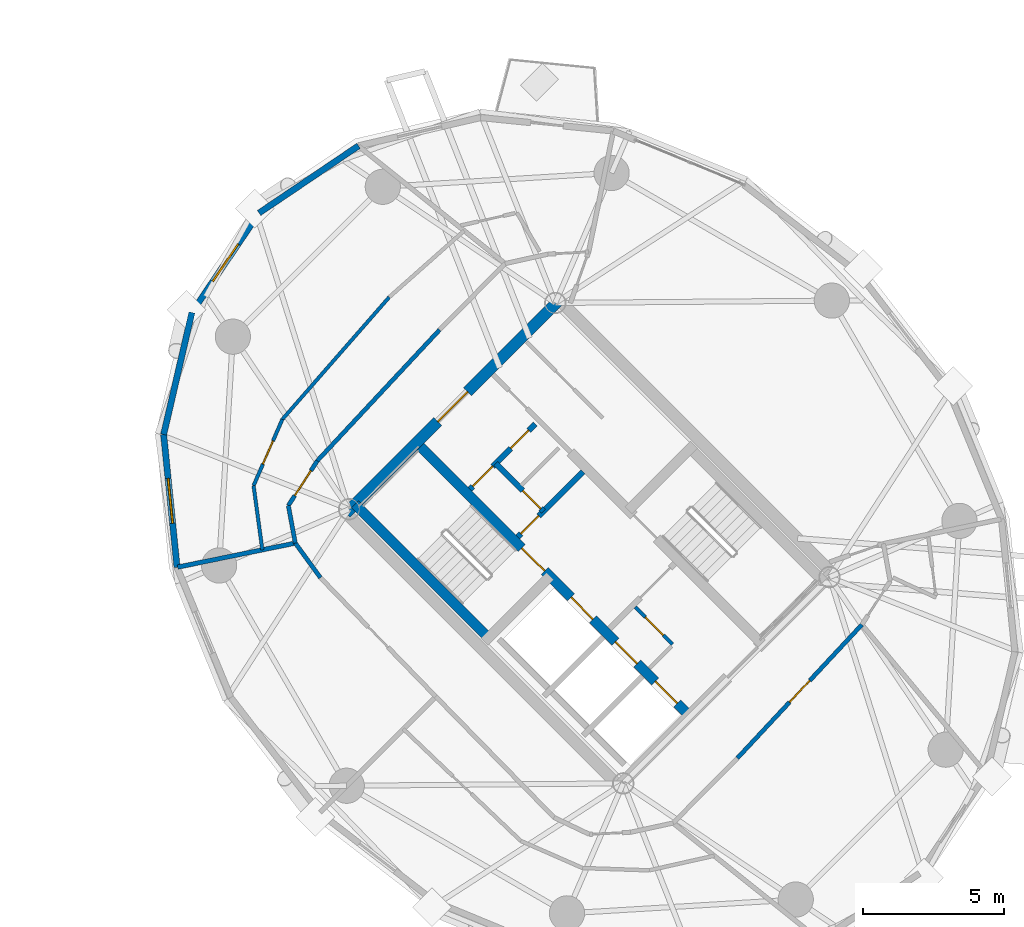
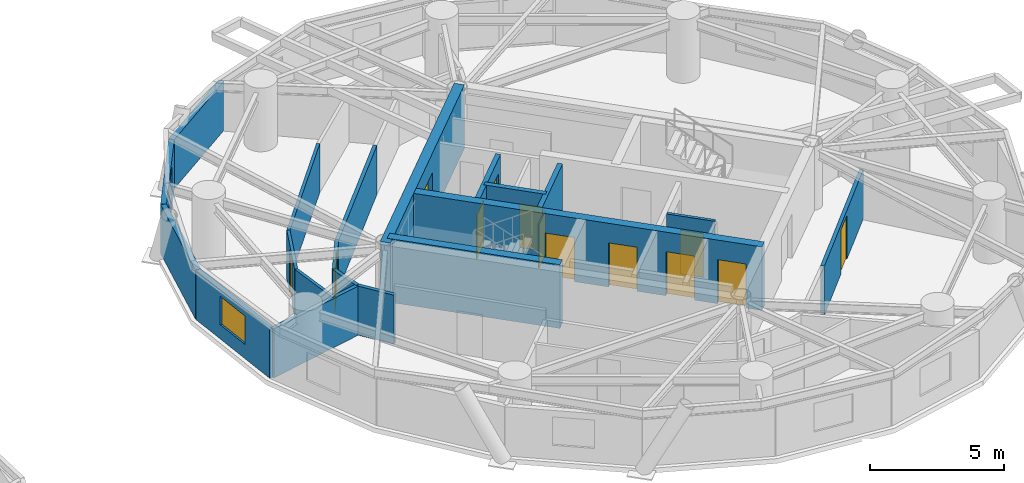
# One storey, part 13 of 18: 20 walls, 13 doors, 2 windows, 15 openings.
"""IFC4 building model written with IfcOpenShell, lengths in metres."""

from ifc_helpers import new_model, si_unit, direction, frame, frame_2d, origin, place, context, subcontext, project, spatial, rectangle, extrude, source, transform, mapped, material, layer, layer_set, type_object, element, fill, save


model = new_model("IFC4")

# Units and contexts
model_context = context("Model", 3, precision=1e-05, world=origin(), true_north=direction((0.0, 1.0)))
body_context = subcontext(model_context, "Body", "Model", "MODEL_VIEW")
ifc_project = project(units=[si_unit("LENGTHUNIT", "METRE"), si_unit("AREAUNIT", "SQUARE_METRE"), si_unit("VOLUMEUNIT", "CUBIC_METRE"), si_unit("PLANEANGLEUNIT", "RADIAN"), si_unit("MASSUNIT", "GRAM", prefix="KILO")], contexts=[model_context])

# Site, building, storey
site_placement = place(None, origin())
site = spatial("IfcSite", under=ifc_project, at=site_placement, CompositionType="ELEMENT")
building_placement = place(site_placement, origin())
building = spatial("IfcBuilding", under=site, at=building_placement, Name="Cununo Teusaquillo Station Towers", CompositionType="ELEMENT")
storey_placement = place(building_placement, frame((0.0, 0.0, 169.06005859375)))
storey = spatial("IfcBuildingStorey", under=building, at=storey_placement, Name="L53", CompositionType="ELEMENT", Elevation=169.06005859375)

# Wall, openings, doors
ifc_material_1 = material(Name="Concrete C50/60", Category="concrete")
ifc_layer_1 = layer(ifc_material_1, 0.35009765625)
ifc_layer_set_1 = layer_set([ifc_layer_1], Name="Concrete C50/60")
wall_type_1 = type_object("IfcWallType", Name="WL-CORE-350", PredefinedType="SHEAR", material=ifc_layer_set_1)
wall_1_placement = place(storey_placement, frame((61.060302734375, 18.372802734375, 0.0), z_axis=(0.0, 0.0, 1.0), x_axis=(-0.707106781187, 0.707106781187, 0.0)))
wall_1 = element("IfcWall", 1, at=wall_1_placement, inside=storey, type_object=wall_type_1, Name="L53 Tower B Core Shear Wall IW", PredefinedType="SHEAR", context=body_context, shape_type="SweptSolid", body=[
    extrude(rectangle(XDim=13.7001953125, YDim=0.35009765625, at=frame_2d((6.85009765625, 0.0))), origin(), (0.0, 0.0, 1.0), 2.909912109375),
])
shared_shape_1 = source(origin(), body_context, "Body", "SweptSolid", [
    extrude(rectangle(XDim=1.10009765625, YDim=2.014892578125, at=frame_2d((0.550048828125, 1.00732421875))), frame((0.0, 0.18505859375, 0.0), z_axis=(0.0, -1.0, 0.0), x_axis=(1.0, 0.0, 0.0)), (0.0, 0.0, 1.0), 0.3701171875),
])
opening_1_placement = place(wall_1_placement, frame((4.85009765625, 0.0, 0.0)))
opening_1 = element("IfcOpeningElement", 2, at=opening_1_placement, cuts=wall_1, Name="Opening LD-01", PredefinedType="OPENING", context=body_context, shape_type="MappedRepresentation", body=[
    mapped(shared_shape_1, transform((0.0, 0.0, 0.0), x_axis=(1.0, 0.0, 0.0), y_axis=(0.0, 1.0, 0.0), z_axis=(0.0, 0.0, 1.0), scale=1.0)),
])
opening_2_placement = place(wall_1_placement, frame((0.625, 0.0, 0.0)))
opening_2 = element("IfcOpeningElement", 3, at=opening_2_placement, cuts=wall_1, Name="Opening LD-01", PredefinedType="OPENING", context=body_context, shape_type="MappedRepresentation", body=[
    mapped(shared_shape_1, transform((0.0, 0.0, 0.0), x_axis=(1.0, 0.0, 0.0), y_axis=(0.0, 1.0, 0.0), z_axis=(0.0, 0.0, 1.0), scale=1.0)),
])
opening_3_placement = place(wall_1_placement, frame((2.625, 0.0, 0.0)))
opening_3 = element("IfcOpeningElement", 4, at=opening_3_placement, cuts=wall_1, Name="Opening LD-01", PredefinedType="OPENING", context=body_context, shape_type="MappedRepresentation", body=[
    mapped(shared_shape_1, transform((0.0, 0.0, 0.0), x_axis=(1.0, 0.0, 0.0), y_axis=(0.0, 1.0, 0.0), z_axis=(0.0, 0.0, 1.0), scale=1.0)),
])
shared_shape_2 = source(origin(), body_context, "Body", "SweptSolid", [
    extrude(rectangle(XDim=1.14990234375, YDim=2.02001953125, at=frame_2d((0.574951171875, 1.010009765625))), frame((0.0, 0.18505859375, 0.0), z_axis=(0.0, -1.0, 0.0), x_axis=(1.0, 0.0, 0.0)), (0.0, 0.0, 1.0), 0.3701171875),
])
opening_4_placement = place(wall_1_placement, frame((7.27001953125, 0.0, 0.0)))
opening_4 = element("IfcOpeningElement", 5, at=opening_4_placement, cuts=wall_1, Name="Opening D-ST1", PredefinedType="OPENING", context=body_context, shape_type="MappedRepresentation", body=[
    mapped(shared_shape_2, transform((0.0, 0.0, 0.0), x_axis=(1.0, 0.0, 0.0), y_axis=(0.0, 1.0, 0.0), z_axis=(0.0, 0.0, 1.0), scale=1.0)),
])
ifc_material_2 = material(Name="Galvanised fire-rated hollow steel door assembly", Category="steel")
door_type_1 = type_object("IfcDoorType", Name="DR-LIFT-1100", OperationType="SLIDING_TO_LEFT", PredefinedType="DOOR", material=ifc_material_2)
shared_shape_3 = source(origin(), body_context, "Body", "SweptSolid", [
    extrude(rectangle(XDim=1.10009765625, YDim=2.014892578125, at=frame_2d((0.550048828125, 1.00732421875))), frame((0.0, 0.02490234375, 0.0), z_axis=(0.0, -1.0, 0.0), x_axis=(1.0, 0.0, 0.0)), (0.0, 0.0, 1.0), 0.050048828125),
])
door_1_placement = place(opening_1_placement, origin())
door_1 = element("IfcDoor", 6, at=door_1_placement, inside=storey, type_object=door_type_1, Name="L53 Lift FL-T2 Sliding Landing Door", OperationType="SLIDING_TO_LEFT", OverallHeight=2.014892578125, OverallWidth=1.10009765625, PredefinedType="DOOR", context=body_context, shape_type="MappedRepresentation", body=[
    mapped(shared_shape_3, transform((0.0, 0.0, 0.0), x_axis=(1.0, 0.0, 0.0), y_axis=(0.0, 1.0, 0.0), z_axis=(0.0, 0.0, 1.0), scale=1.0)),
])
fill(opening_1, door_1)
door_2_placement = place(opening_2_placement, origin())
door_2 = element("IfcDoor", 7, at=door_2_placement, inside=storey, type_object=door_type_1, Name="L53 Lift PL-T2-H1 Sliding Landing Door", OperationType="SLIDING_TO_RIGHT", OverallHeight=2.014892578125, OverallWidth=1.10009765625, PredefinedType="DOOR", context=body_context, shape_type="MappedRepresentation", body=[
    mapped(shared_shape_3, transform((0.0, 0.0, 0.0), x_axis=(1.0, 0.0, 0.0), y_axis=(0.0, 1.0, 0.0), z_axis=(0.0, 0.0, 1.0), scale=1.0)),
])
fill(opening_2, door_2)
door_3_placement = place(opening_3_placement, origin())
door_3 = element("IfcDoor", 8, at=door_3_placement, inside=storey, type_object=door_type_1, Name="L53 Lift PL-T2-H2 Sliding Landing Door", OperationType="SLIDING_TO_LEFT", OverallHeight=2.014892578125, OverallWidth=1.10009765625, PredefinedType="DOOR", context=body_context, shape_type="MappedRepresentation", body=[
    mapped(shared_shape_3, transform((0.0, 0.0, 0.0), x_axis=(1.0, 0.0, 0.0), y_axis=(0.0, 1.0, 0.0), z_axis=(0.0, 0.0, 1.0), scale=1.0)),
])
fill(opening_3, door_3)
ifc_material_3 = material(Name="Galvanised fire-rated hollow steel door assembly", Category="steel")
door_type_2 = type_object("IfcDoorType", Name="DR-STAIR-1150", OperationType="NOTDEFINED", PredefinedType="DOOR", material=ifc_material_3)
shared_shape_4 = source(origin(), body_context, "Body", "SweptSolid", [
    extrude(rectangle(XDim=1.14990234375, YDim=2.02001953125, at=frame_2d((0.574951171875, 1.010009765625))), frame((0.0, 0.02490234375, 0.0), z_axis=(0.0, -1.0, 0.0), x_axis=(1.0, 0.0, 0.0)), (0.0, 0.0, 1.0), 0.050048828125),
])
door_4_placement = place(opening_4_placement, origin())
door_4 = element("IfcDoor", 9, at=door_4_placement, inside=storey, type_object=door_type_2, Name="L53 Tower B Exit Stair 1 Fire Door", OperationType="SINGLE_SWING_LEFT", OverallHeight=2.02001953125, OverallWidth=1.14990234375, PredefinedType="DOOR", context=body_context, shape_type="MappedRepresentation", body=[
    mapped(shared_shape_4, transform((0.0, 0.0, 0.0), x_axis=(1.0, 0.0, 0.0), y_axis=(0.0, 1.0, 0.0), z_axis=(0.0, 0.0, 1.0), scale=1.0)),
])
fill(opening_4, door_4)

# Wall
wall_2_placement = place(storey_placement, frame((53.922119140625, 21.14111328125, 0.0), z_axis=(0.0, 0.0, 1.0), x_axis=(-0.707106781187, 0.707106781187, 0.0)))
element("IfcWall", 10, at=wall_2_placement, inside=storey, type_object=wall_type_1, Name="L53 Tower B Core Shear Wall ST1W", PredefinedType="SHEAR", context=body_context, shape_type="SweptSolid", body=[
    extrude(rectangle(XDim=6.695068359375, YDim=0.35009765625, at=frame_2d((3.34765625, 0.0))), origin(), (0.0, 0.0, 1.0), 2.909912109375),
])

# Wall, opening, door
ifc_material_4 = material(Name="Concrete C50/60", Category="concrete")
ifc_layer_2 = layer(ifc_material_4, 0.39990234375)
ifc_layer_set_2 = layer_set([ifc_layer_2], Name="Concrete C50/60")
wall_type_2 = type_object("IfcWallType", Name="WL-CORE-400", PredefinedType="SHEAR", material=ifc_layer_set_2)
wall_3_placement = place(storey_placement, frame((48.873291015625, 25.560791015625, 0.0), z_axis=(0.0, 0.0, 1.0), x_axis=(0.707106781187, 0.707106781187, 0.0)))
wall_3 = element("IfcWall", 11, at=wall_3_placement, inside=storey, type_object=wall_type_2, Name="L53 Tower B Core Shear Wall N", PredefinedType="SHEAR", context=body_context, shape_type="SweptSolid", body=[
    extrude(rectangle(XDim=10.69970703125, YDim=0.39990234375, at=frame_2d((5.349853515625, 0.0))), origin(), (0.0, 0.0, 1.0), 2.909912109375),
])
shared_shape_5 = source(origin(), body_context, "Body", "SweptSolid", [
    extrude(rectangle(XDim=1.5, YDim=2.02001953125, at=frame_2d((0.75, 1.010009765625))), frame((0.0, 0.2099609375, 0.0), z_axis=(0.0, -1.0, 0.0), x_axis=(1.0, 0.0, 0.0)), (0.0, 0.0, 1.0), 0.419921875),
])
opening_5_placement = place(wall_3_placement, frame((4.60009765625, 0.0, 0.0)))
opening_5 = element("IfcOpeningElement", 12, at=opening_5_placement, cuts=wall_3, Name="Opening D-LB1", PredefinedType="OPENING", context=body_context, shape_type="MappedRepresentation", body=[
    mapped(shared_shape_5, transform((0.0, 0.0, 0.0), x_axis=(1.0, 0.0, 0.0), y_axis=(0.0, 1.0, 0.0), z_axis=(0.0, 0.0, 1.0), scale=1.0)),
])
ifc_material_5 = material(Name="Galvanised fire-rated hollow steel door assembly", Category="steel")
door_type_3 = type_object("IfcDoorType", Name="DR-LOBBY-1500", OperationType="DOUBLE_DOOR_SINGLE_SWING", PredefinedType="DOOR", material=ifc_material_5)
shared_shape_6 = source(origin(), body_context, "Body", "SweptSolid", [
    extrude(rectangle(XDim=1.5, YDim=2.02001953125, at=frame_2d((0.75, 1.010009765625))), frame((0.0, 0.02490234375, 0.0), z_axis=(0.0, -1.0, 0.0), x_axis=(1.0, 0.0, 0.0)), (0.0, 0.0, 1.0), 0.050048828125),
])
door_5_placement = place(opening_5_placement, origin())
door_5 = element("IfcDoor", 13, at=door_5_placement, inside=storey, type_object=door_type_3, Name="L53 Tower B North Core Lift Lobby Door", OperationType="DOUBLE_DOOR_SINGLE_SWING", OverallHeight=2.02001953125, OverallWidth=1.5, PredefinedType="DOOR", context=body_context, shape_type="MappedRepresentation", body=[
    mapped(shared_shape_6, transform((0.0, 0.0, 0.0), x_axis=(1.0, 0.0, 0.0), y_axis=(0.0, 1.0, 0.0), z_axis=(0.0, 0.0, 1.0), scale=1.0)),
])
fill(opening_5, door_5)

# Wall
ifc_material_6 = material(Name="Precast concrete C40/50", Category="concrete")
ifc_layer_3 = layer(ifc_material_6, 0.219970703125)
ifc_layer_set_3 = layer_set([ifc_layer_3], Name="Precast concrete C40/50")
wall_type_3 = type_object("IfcWallType", Name="WL-EXT-220", PredefinedType="SOLIDWALL", material=ifc_layer_set_3)
wall_4_placement = place(storey_placement, frame((45.783203125, 36.216796875, 0.0), z_axis=(0.0, 0.0, 1.0), x_axis=(0.828817439852, 0.55951912514, 0.0)))
element("IfcWall", 14, at=wall_4_placement, inside=storey, type_object=wall_type_3, Name="L53 Tower B Exterior Facade Wall C04", PredefinedType="SOLIDWALL", context=body_context, shape_type="SweptSolid", body=[
    extrude(rectangle(XDim=4.259033203125, YDim=0.219970703125, at=frame_2d((2.12939453125, 0.0))), origin(), (0.0, 0.0, 1.0), 2.244873046875),
])

# Wall, opening, window
wall_5_placement = place(storey_placement, frame((43.400146484375, 32.686767578125, 0.0), z_axis=(0.0, 0.0, 1.0), x_axis=(0.55951912514, 0.828817439852, 0.0)))
wall_5 = element("IfcWall", 15, at=wall_5_placement, inside=storey, type_object=wall_type_3, Name="L53 Tower B Exterior Facade Wall C05", PredefinedType="SOLIDWALL", context=body_context, shape_type="SweptSolid", body=[
    extrude(rectangle(XDim=4.259033203125, YDim=0.219970703125, at=frame_2d((2.12939453125, 0.0))), origin(), (0.0, 0.0, 1.0), 2.244873046875),
])
shared_shape_7 = source(origin(), body_context, "Body", "SweptSolid", [
    extrude(rectangle(XDim=1.60009765625, YDim=1.300048828125, at=frame_2d((0.800048828125, 0.64990234375))), frame((0.0, 0.119873046875, 0.0), z_axis=(0.0, -1.0, 0.0), x_axis=(1.0, 0.0, 0.0)), (0.0, 0.0, 1.0), 0.239990234375),
])
opening_6_placement = place(wall_5_placement, frame((1.330078125, 0.0, 0.64990234375)))
opening_6 = element("IfcOpeningElement", 16, at=opening_6_placement, cuts=wall_5, Name="Opening WN-03", PredefinedType="OPENING", context=body_context, shape_type="MappedRepresentation", body=[
    mapped(shared_shape_7, transform((0.0, 0.0, 0.0), x_axis=(1.0, 0.0, 0.0), y_axis=(0.0, 1.0, 0.0), z_axis=(0.0, 0.0, 1.0), scale=1.0)),
])
ifc_material_7 = material(Name="Ceramic-fritted dark low-E double glazing", Category="glass")
window_type = type_object("IfcWindowType", Name="WIN-CORN-1600", PartitioningType="SINGLE_PANEL", PredefinedType="WINDOW", material=ifc_material_7)
shared_shape_8 = source(origin(), body_context, "Body", "SweptSolid", [
    extrude(rectangle(XDim=1.60009765625, YDim=1.300048828125, at=frame_2d((0.800048828125, 0.64990234375))), frame((0.0, 0.030029296875, 0.0), z_axis=(0.0, -1.0, 0.0), x_axis=(1.0, 0.0, 0.0)), (0.0, 0.0, 1.0), 0.06005859375),
])
window_1_placement = place(opening_6_placement, origin())
window_1 = element("IfcWindow", 17, at=window_1_placement, inside=storey, type_object=window_type, Name="L53 Tower B Facade Window C05", OverallHeight=1.300048828125, OverallWidth=1.60009765625, PartitioningType="SINGLE_PANEL", PredefinedType="WINDOW", context=body_context, shape_type="MappedRepresentation", body=[
    mapped(shared_shape_8, transform((0.0, 0.0, 0.0), x_axis=(1.0, 0.0, 0.0), y_axis=(0.0, 1.0, 0.0), z_axis=(0.0, 0.0, 1.0), scale=1.0)),
])
fill(opening_6, window_1)

# Wall
wall_6_placement = place(storey_placement, frame((42.397216796875, 28.355224609375, 0.0), z_axis=(0.0, 0.0, 1.0), x_axis=(0.22557328587, 0.97422620202, 0.0)))
element("IfcWall", 18, at=wall_6_placement, inside=storey, type_object=wall_type_3, Name="L53 Tower B Exterior Facade Wall C06", PredefinedType="SOLIDWALL", context=body_context, shape_type="SweptSolid", body=[
    extrude(rectangle(XDim=4.446044921875, YDim=0.219970703125, at=frame_2d((2.22314453125, 0.0))), origin(), (0.0, 0.0, 1.0), 2.244873046875),
])

# Wall, opening, window
wall_7_placement = place(storey_placement, frame((42.87255859375, 23.646484375, 0.0), z_axis=(0.0, 0.0, 1.0), x_axis=(-0.100438356004, 0.994943283129, 0.0)))
wall_7 = element("IfcWall", 19, at=wall_7_placement, inside=storey, type_object=wall_type_3, Name="L53 Tower B Exterior Facade Wall C07", PredefinedType="SOLIDWALL", context=body_context, shape_type="SweptSolid", body=[
    extrude(rectangle(XDim=4.732666015625, YDim=0.219970703125, at=frame_2d((2.3662109375, 0.0))), origin(), (0.0, 0.0, 1.0), 2.244873046875),
])
opening_7_placement = place(wall_7_placement, frame((1.56591796875, 0.0, 0.64990234375)))
opening_7 = element("IfcOpeningElement", 20, at=opening_7_placement, cuts=wall_7, Name="Opening WN-03", PredefinedType="OPENING", context=body_context, shape_type="MappedRepresentation", body=[
    mapped(shared_shape_7, transform((0.0, 0.0, 0.0), x_axis=(1.0, 0.0, 0.0), y_axis=(0.0, 1.0, 0.0), z_axis=(0.0, 0.0, 1.0), scale=1.0)),
])
window_2_placement = place(opening_7_placement, origin())
window_2 = element("IfcWindow", 21, at=window_2_placement, inside=storey, type_object=window_type, Name="L53 Tower B Facade Window C07", OverallHeight=1.300048828125, OverallWidth=1.60009765625, PartitioningType="SINGLE_PANEL", PredefinedType="WINDOW", context=body_context, shape_type="MappedRepresentation", body=[
    mapped(shared_shape_8, transform((0.0, 0.0, 0.0), x_axis=(1.0, 0.0, 0.0), y_axis=(0.0, 1.0, 0.0), z_axis=(0.0, 0.0, 1.0), scale=1.0)),
])
fill(opening_7, window_2)

# Wall, opening, door
ifc_material_8 = material(Name="Fire-rated gypsum plasterboard partition assembly", Category="gypsum")
ifc_layer_4 = layer(ifc_material_8, 0.125)
ifc_layer_set_4 = layer_set([ifc_layer_4], Name="Fire-rated gypsum plasterboard partition assembly")
wall_type_4 = type_object("IfcWallType", Name="WL-PART-125", PredefinedType="PARTITIONING", material=ifc_layer_set_4)
wall_8_placement = place(storey_placement, frame((60.448486328125, 20.9150390625, 0.0), z_axis=(0.0, 0.0, 1.0), x_axis=(-0.707106781187, 0.707106781187, 0.0)))
wall_8 = element("IfcWall", 22, at=wall_8_placement, inside=storey, type_object=wall_type_4, Name="L53 Tower B North-West Lobby Store East Wall", PredefinedType="PARTITIONING", context=body_context, shape_type="SweptSolid", body=[
    extrude(rectangle(XDim=1.869873046875, YDim=0.125, at=frame_2d((0.93505859375, 0.0))), origin(), (0.0, 0.0, 1.0), 2.675048828125),
])
shared_shape_9 = source(origin(), body_context, "Body", "SweptSolid", [
    extrude(rectangle(XDim=0.89990234375, YDim=2.0048828125, at=frame_2d((0.449951171875, 1.00244140625))), frame((0.0, 0.072509765625, 0.0), z_axis=(0.0, -1.0, 0.0), x_axis=(1.0, 0.0, 0.0)), (0.0, 0.0, 1.0), 0.14501953125),
])
opening_8_placement = place(wall_8_placement, frame((0.449951171875, 0.0, 0.0)))
opening_8 = element("IfcOpeningElement", 23, at=opening_8_placement, cuts=wall_8, Name="Opening D-SR1", PredefinedType="OPENING", context=body_context, shape_type="MappedRepresentation", body=[
    mapped(shared_shape_9, transform((0.0, 0.0, 0.0), x_axis=(1.0, 0.0, 0.0), y_axis=(0.0, 1.0, 0.0), z_axis=(0.0, 0.0, 1.0), scale=1.0)),
])
ifc_material_9 = material(Name="Galvanised fire-rated hollow steel door assembly", Category="steel")
door_type_4 = type_object("IfcDoorType", Name="DR-STORE-900", OperationType="NOTDEFINED", PredefinedType="DOOR", material=ifc_material_9)
shared_shape_10 = source(origin(), body_context, "Body", "SweptSolid", [
    extrude(rectangle(XDim=0.89990234375, YDim=2.0048828125, at=frame_2d((0.449951171875, 1.00244140625))), frame((0.0, 0.02490234375, 0.0), z_axis=(0.0, -1.0, 0.0), x_axis=(1.0, 0.0, 0.0)), (0.0, 0.0, 1.0), 0.050048828125),
])
door_6_placement = place(opening_8_placement, origin())
door_6 = element("IfcDoor", 24, at=door_6_placement, inside=storey, type_object=door_type_4, Name="L53 Tower B South Lobby Data Store Door", OperationType="SINGLE_SWING_LEFT", OverallHeight=2.0048828125, OverallWidth=0.89990234375, PredefinedType="DOOR", context=body_context, shape_type="MappedRepresentation", body=[
    mapped(shared_shape_10, transform((0.0, 0.0, 0.0), x_axis=(1.0, 0.0, 0.0), y_axis=(0.0, 1.0, 0.0), z_axis=(0.0, 0.0, 1.0), scale=1.0)),
])
fill(opening_8, door_6)

# Wall
wall_9_placement = place(storey_placement, frame((50.401123046875, 33.230224609375, 0.0), z_axis=(0.0, 0.0, 1.0), x_axis=(-0.658387591096, -0.752679068322, 0.0)))
element("IfcWall", 25, at=wall_9_placement, inside=storey, type_object=wall_type_4, Name="L53 Tower B Private Butler & Banquet Hall Concentric Partition Wall C05", PredefinedType="PARTITIONING", context=body_context, shape_type="SweptSolid", body=[
    extrude(rectangle(XDim=5.760986328125, YDim=0.125, at=frame_2d((2.88037109375, 0.0))), origin(), (0.0, 0.0, 1.0), 2.244873046875),
])

# Wall, opening, door
wall_10_placement = place(storey_placement, frame((46.608154296875, 28.89404296875, 0.0), z_axis=(0.0, 0.0, 1.0), x_axis=(-0.397650183672, -0.917537100844, 0.0)))
wall_10 = element("IfcWall", 26, at=wall_10_placement, inside=storey, type_object=wall_type_4, Name="L53 Tower B Private Butler & Banquet Hall Concentric Partition Wall C06", PredefinedType="PARTITIONING", context=body_context, shape_type="SweptSolid", body=[
    extrude(rectangle(XDim=2.564453125, YDim=0.125, at=frame_2d((1.2822265625, 0.0))), origin(), (0.0, 0.0, 1.0), 2.244873046875),
])
opening_9_placement = place(wall_10_placement, frame((0.832275390625, 0.0, 0.0)))
opening_9 = element("IfcOpeningElement", 27, at=opening_9_placement, cuts=wall_10, Name="Opening D-IN1", PredefinedType="OPENING", context=body_context, shape_type="MappedRepresentation", body=[
    mapped(shared_shape_9, transform((0.0, 0.0, 0.0), x_axis=(1.0, 0.0, 0.0), y_axis=(0.0, 1.0, 0.0), z_axis=(0.0, 0.0, 1.0), scale=1.0)),
])
ifc_material_10 = material(Name="Acoustic solid-core hardwood leaf assembly", Category="wood")
door_type_5 = type_object("IfcDoorType", Name="DR-INT-900", OperationType="NOTDEFINED", PredefinedType="DOOR", material=ifc_material_10)
door_7_placement = place(opening_9_placement, origin())
door_7 = element("IfcDoor", 28, at=door_7_placement, inside=storey, type_object=door_type_5, Name="L53 Tower B Private Butler & Banquet Hall Connecting Door", OperationType="SINGLE_SWING_LEFT", OverallHeight=2.0048828125, OverallWidth=0.89990234375, PredefinedType="DOOR", context=body_context, shape_type="MappedRepresentation", body=[
    mapped(shared_shape_10, transform((0.0, 0.0, 0.0), x_axis=(1.0, 0.0, 0.0), y_axis=(0.0, 1.0, 0.0), z_axis=(0.0, 0.0, 1.0), scale=1.0)),
])
fill(opening_9, door_7)

# Walls
wall_11_placement = place(storey_placement, frame((45.58837890625, 26.541015625, 0.0), z_axis=(0.0, 0.0, 1.0), x_axis=(0.135321759641, -0.990801706381, 0.0)))
element("IfcWall", 29, at=wall_11_placement, inside=storey, type_object=wall_type_4, Name="L53 Tower B Private Butler & Banquet Hall Concentric Partition Wall C07", PredefinedType="PARTITIONING", context=body_context, shape_type="SweptSolid", body=[
    extrude(rectangle(XDim=2.298583984375, YDim=0.125, at=frame_2d((1.1494140625, 0.0))), origin(), (0.0, 0.0, 1.0), 2.244873046875),
])
ifc_material_11 = material(Name="Fire-rated gypsum plasterboard partition assembly", Category="gypsum")
ifc_layer_5 = layer(ifc_material_11, 0.14990234375)
ifc_layer_set_5 = layer_set([ifc_layer_5], Name="Fire-rated gypsum plasterboard partition assembly")
wall_type_5 = type_object("IfcWallType", Name="WL-PART-150", PredefinedType="PARTITIONING", material=ifc_layer_set_5)
wall_12_placement = place(storey_placement, frame((52.19140625, 32.07421875, 0.0), z_axis=(0.0, 0.0, 1.0), x_axis=(-0.682404362608, -0.730974887321, 0.0)))
element("IfcWall", 30, at=wall_12_placement, inside=storey, type_object=wall_type_5, Name="L53 Tower B Corridor Ring Wall C05", PredefinedType="PARTITIONING", context=body_context, shape_type="SweptSolid", body=[
    extrude(rectangle(XDim=6.363525390625, YDim=0.14990234375, at=frame_2d((3.181640625, 0.0))), origin(), (0.0, 0.0, 1.0), 2.244873046875),
])

# Wall, opening, door
wall_13_placement = place(storey_placement, frame((47.848876953125, 27.422607421875, 0.0), z_axis=(0.0, 0.0, 1.0), x_axis=(-0.543529808582, -0.839389866023, 0.0)))
wall_13 = element("IfcWall", 31, at=wall_13_placement, inside=storey, type_object=wall_type_5, Name="L53 Tower B Corridor Ring Wall C06", PredefinedType="PARTITIONING", context=body_context, shape_type="SweptSolid", body=[
    extrude(rectangle(XDim=1.8896484375, YDim=0.14990234375, at=frame_2d((0.94482421875, 0.0))), origin(), (0.0, 0.0, 1.0), 2.244873046875),
])
shared_shape_11 = source(origin(), body_context, "Body", "SweptSolid", [
    extrude(rectangle(XDim=1.050048828125, YDim=2.014892578125, at=frame_2d((0.52490234375, 1.00732421875))), frame((0.0, 0.0849609375, 0.0), z_axis=(0.0, -1.0, 0.0), x_axis=(1.0, 0.0, 0.0)), (0.0, 0.0, 1.0), 0.169921875),
])
opening_10_placement = place(wall_13_placement, frame((0.419921875, 0.0, 0.0)))
opening_10 = element("IfcOpeningElement", 32, at=opening_10_placement, cuts=wall_13, Name="Opening D-SU1", PredefinedType="OPENING", context=body_context, shape_type="MappedRepresentation", body=[
    mapped(shared_shape_11, transform((0.0, 0.0, 0.0), x_axis=(1.0, 0.0, 0.0), y_axis=(0.0, 1.0, 0.0), z_axis=(0.0, 0.0, 1.0), scale=1.0)),
])
ifc_material_12 = material(Name="Acoustic solid-core hardwood leaf assembly", Category="wood")
door_type_6 = type_object("IfcDoorType", Name="DR-SUITE-1050", OperationType="NOTDEFINED", PredefinedType="DOOR", material=ifc_material_12)
shared_shape_12 = source(origin(), body_context, "Body", "SweptSolid", [
    extrude(rectangle(XDim=1.050048828125, YDim=2.014892578125, at=frame_2d((0.52490234375, 1.00732421875))), frame((0.0, 0.02490234375, 0.0), z_axis=(0.0, -1.0, 0.0), x_axis=(1.0, 0.0, 0.0)), (0.0, 0.0, 1.0), 0.050048828125),
])
door_8_placement = place(opening_10_placement, origin())
door_8 = element("IfcDoor", 33, at=door_8_placement, inside=storey, type_object=door_type_6, Name="L53 Tower B Private Butler & Banquet Hall Entrance Door", OperationType="SINGLE_SWING_RIGHT", OverallHeight=2.014892578125, OverallWidth=1.050048828125, PredefinedType="DOOR", context=body_context, shape_type="MappedRepresentation", body=[
    mapped(shared_shape_12, transform((0.0, 0.0, 0.0), x_axis=(1.0, 0.0, 0.0), y_axis=(0.0, 1.0, 0.0), z_axis=(0.0, 0.0, 1.0), scale=1.0)),
])
fill(opening_10, door_8)

# Walls
wall_14_placement = place(storey_placement, frame((46.82177734375, 25.83642578125, 0.0), z_axis=(0.0, 0.0, 1.0), x_axis=(0.182115036249, -0.983277231289, 0.0)))
element("IfcWall", 34, at=wall_14_placement, inside=storey, type_object=wall_type_5, Name="L53 Tower B Corridor Ring Wall C07", PredefinedType="PARTITIONING", context=body_context, shape_type="SweptSolid", body=[
    extrude(rectangle(XDim=1.356689453125, YDim=0.14990234375, at=frame_2d((0.67822265625, 0.0))), origin(), (0.0, 0.0, 1.0), 2.244873046875),
])
wall_15_placement = place(storey_placement, frame((47.06884765625, 24.50244140625, 0.0), z_axis=(0.0, 0.0, 1.0), x_axis=(0.587577436866, -0.809167940347, 0.0)))
element("IfcWall", 35, at=wall_15_placement, inside=storey, type_object=wall_type_5, Name="L53 Tower B Corridor Ring Wall C08", PredefinedType="PARTITIONING", context=body_context, shape_type="SweptSolid", body=[
    extrude(rectangle(XDim=1.514892578125, YDim=0.14990234375, at=frame_2d((0.75732421875, 0.0))), origin(), (0.0, 0.0, 1.0), 2.244873046875),
])

# Wall, opening, door
wall_16_placement = place(storey_placement, frame((62.756103515625, 16.873291015625, 0.0), z_axis=(0.0, 0.0, 1.0), x_axis=(0.682136885079, 0.73122450042, 0.0)))
wall_16 = element("IfcWall", 36, at=wall_16_placement, inside=storey, type_object=wall_type_5, Name="L53 Tower B Corridor Ring Wall C15", PredefinedType="PARTITIONING", context=body_context, shape_type="SweptSolid", body=[
    extrude(rectangle(XDim=6.4755859375, YDim=0.14990234375, at=frame_2d((3.23779296875, 0.0))), origin(), (0.0, 0.0, 1.0), 2.244873046875),
])
opening_11_placement = place(wall_16_placement, frame((2.712890625, 0.0, 0.0)))
opening_11 = element("IfcOpeningElement", 37, at=opening_11_placement, cuts=wall_16, Name="Opening D-SU1", PredefinedType="OPENING", context=body_context, shape_type="MappedRepresentation", body=[
    mapped(shared_shape_11, transform((0.0, 0.0, 0.0), x_axis=(1.0, 0.0, 0.0), y_axis=(0.0, 1.0, 0.0), z_axis=(0.0, 0.0, 1.0), scale=1.0)),
])
door_9_placement = place(opening_11_placement, origin())
door_9 = element("IfcDoor", 38, at=door_9_placement, inside=storey, type_object=door_type_6, Name="L53 Tower B Hotel Housekeeping & Linen Pantry Entrance Door", OperationType="SINGLE_SWING_LEFT", OverallHeight=2.014892578125, OverallWidth=1.050048828125, PredefinedType="DOOR", context=body_context, shape_type="MappedRepresentation", body=[
    mapped(shared_shape_12, transform((0.0, 0.0, 0.0), x_axis=(1.0, 0.0, 0.0), y_axis=(0.0, 1.0, 0.0), z_axis=(0.0, 0.0, 1.0), scale=1.0)),
])
fill(opening_11, door_9)

# Wall
ifc_material_13 = material(Name="Fire-rated gypsum plasterboard partition assembly", Category="gypsum")
ifc_layer_6 = layer(ifc_material_13, 0.159912109375)
ifc_layer_set_6 = layer_set([ifc_layer_6], Name="Fire-rated gypsum plasterboard partition assembly")
wall_type_6 = type_object("IfcWallType", Name="WL-PART-160", PredefinedType="PARTITIONING", material=ifc_layer_set_6)
wall_17_placement = place(storey_placement, frame((47.06884765625, 24.50244140625, 0.0), z_axis=(0.0, 0.0, 1.0), x_axis=(-0.979772902724, -0.200112616012, 0.0)))
element("IfcWall", 39, at=wall_17_placement, inside=storey, type_object=wall_type_6, Name="L53 Tower B Radial Suite Partition R03", PredefinedType="PARTITIONING", context=body_context, shape_type="SweptSolid", body=[
    extrude(rectangle(XDim=4.2626953125, YDim=0.159912109375, at=frame_2d((2.13134765625, 0.0))), origin(), (0.0, 0.0, 1.0), 2.244873046875),
])

# Wall, opening, door
ifc_material_14 = material(Name="Fire-rated gypsum plasterboard partition assembly", Category="gypsum")
ifc_layer_7 = layer(ifc_material_14, 0.199951171875)
ifc_layer_set_7 = layer_set([ifc_layer_7], Name="Fire-rated gypsum plasterboard partition assembly")
wall_type_7 = type_object("IfcWallType", Name="WL-PART-200", PredefinedType="PARTITIONING", material=ifc_layer_set_7)
wall_18_placement = place(storey_placement, frame((54.96142578125, 24.71923828125, 0.0), z_axis=(0.0, 0.0, 1.0), x_axis=(0.707106781187, 0.707106781187, 0.0)))
wall_18 = element("IfcWall", 40, at=wall_18_placement, inside=storey, type_object=wall_type_7, Name="L53 Tower B Firefighting Lift Lobby North Fire Wall", PredefinedType="PARTITIONING", context=body_context, shape_type="SweptSolid", body=[
    extrude(rectangle(XDim=3.280029296875, YDim=0.199951171875, at=frame_2d((1.64013671875, 0.0))), origin(), (0.0, 0.0, 1.0), 2.675048828125),
])
shared_shape_13 = source(origin(), body_context, "Body", "SweptSolid", [
    extrude(rectangle(XDim=0.89990234375, YDim=2.0048828125, at=frame_2d((0.449951171875, 1.00244140625))), frame((0.0, 0.10986328125, 0.0), z_axis=(0.0, -1.0, 0.0), x_axis=(1.0, 0.0, 0.0)), (0.0, 0.0, 1.0), 0.219970703125),
])
opening_12_placement = place(wall_18_placement, frame((0.159912109375, 0.0, 0.0)))
opening_12 = element("IfcOpeningElement", 41, at=opening_12_placement, cuts=wall_18, Name="Opening D-SR1", PredefinedType="OPENING", context=body_context, shape_type="MappedRepresentation", body=[
    mapped(shared_shape_13, transform((0.0, 0.0, 0.0), x_axis=(1.0, 0.0, 0.0), y_axis=(0.0, 1.0, 0.0), z_axis=(0.0, 0.0, 1.0), scale=1.0)),
])
door_10_placement = place(opening_12_placement, origin())
door_10 = element("IfcDoor", 42, at=door_10_placement, inside=storey, type_object=door_type_4, Name="L53 Tower B Stair 1 Protected Vestibule South Door", OperationType="SINGLE_SWING_LEFT", OverallHeight=2.0048828125, OverallWidth=0.89990234375, PredefinedType="DOOR", context=body_context, shape_type="MappedRepresentation", body=[
    mapped(shared_shape_10, transform((0.0, 0.0, 0.0), x_axis=(1.0, 0.0, 0.0), y_axis=(0.0, 1.0, 0.0), z_axis=(0.0, 0.0, 1.0), scale=1.0)),
])
fill(opening_12, door_10)

wall_19_placement = place(storey_placement, frame((55.873779296875, 25.63134765625, 0.0), z_axis=(0.0, 0.0, 1.0), x_axis=(-0.707157639372, 0.707055919343, 0.0)))
wall_19 = element("IfcWall", 43, at=wall_19_placement, inside=storey, type_object=wall_type_7, Name="L53 Tower B Stair 1 Vestibule Partition Wall", PredefinedType="PARTITIONING", context=body_context, shape_type="SweptSolid", body=[
    extrude(rectangle(XDim=2.400146484375, YDim=0.199951171875, at=frame_2d((1.2001953125, 0.0))), origin(), (0.0, 0.0, 1.0), 2.675048828125),
])
opening_13_placement = place(wall_19_placement, frame((0.139892578125, 0.0, 0.0)))
opening_13 = element("IfcOpeningElement", 44, at=opening_13_placement, cuts=wall_19, Name="Opening D-SR1", PredefinedType="OPENING", context=body_context, shape_type="MappedRepresentation", body=[
    mapped(shared_shape_13, transform((0.0, 0.0, 0.0), x_axis=(1.0, 0.0, 0.0), y_axis=(0.0, 1.0, 0.0), z_axis=(0.0, 0.0, 1.0), scale=1.0)),
])
door_11_placement = place(opening_13_placement, origin())
door_11 = element("IfcDoor", 45, at=door_11_placement, inside=storey, type_object=door_type_4, Name="L53 Tower B Core Linen Store Door", OperationType="SINGLE_SWING_RIGHT", OverallHeight=2.0048828125, OverallWidth=0.89990234375, PredefinedType="DOOR", context=body_context, shape_type="MappedRepresentation", body=[
    mapped(shared_shape_10, transform((0.0, 0.0, 0.0), x_axis=(1.0, 0.0, 0.0), y_axis=(0.0, 1.0, 0.0), z_axis=(0.0, 0.0, 1.0), scale=1.0)),
])
fill(opening_13, door_11)

# Wall, openings, doors
wall_20_placement = place(storey_placement, frame((53.264404296875, 26.416259765625, 0.0), z_axis=(0.0, 0.0, 1.0), x_axis=(0.707106781187, 0.707106781187, 0.0)))
wall_20 = element("IfcWall", 46, at=wall_20_placement, inside=storey, type_object=wall_type_7, Name="L53 Tower B North Lift Lobby South Fire Wall", PredefinedType="PARTITIONING", context=body_context, shape_type="SweptSolid", body=[
    extrude(rectangle(XDim=3.280029296875, YDim=0.199951171875, at=frame_2d((1.64013671875, 0.0))), origin(), (0.0, 0.0, 1.0), 2.675048828125),
])
shared_shape_14 = source(origin(), body_context, "Body", "SweptSolid", [
    extrude(rectangle(XDim=1.0, YDim=2.014892578125, at=frame_2d((0.5, 1.00732421875))), frame((0.0, 0.10986328125, 0.0), z_axis=(0.0, -1.0, 0.0), x_axis=(1.0, 0.0, 0.0)), (0.0, 0.0, 1.0), 0.219970703125),
])
opening_14_placement = place(wall_20_placement, frame((0.139892578125, 0.0, 0.0)))
opening_14 = element("IfcOpeningElement", 47, at=opening_14_placement, cuts=wall_20, Name="Opening D-AC1", PredefinedType="OPENING", context=body_context, shape_type="MappedRepresentation", body=[
    mapped(shared_shape_14, transform((0.0, 0.0, 0.0), x_axis=(1.0, 0.0, 0.0), y_axis=(0.0, 1.0, 0.0), z_axis=(0.0, 0.0, 1.0), scale=1.0)),
])
opening_15_placement = place(wall_20_placement, frame((2.050048828125, 0.0, 0.0)))
opening_15 = element("IfcOpeningElement", 48, at=opening_15_placement, cuts=wall_20, Name="Opening D-SR1", PredefinedType="OPENING", context=body_context, shape_type="MappedRepresentation", body=[
    mapped(shared_shape_13, transform((0.0, 0.0, 0.0), x_axis=(1.0, 0.0, 0.0), y_axis=(0.0, 1.0, 0.0), z_axis=(0.0, 0.0, 1.0), scale=1.0)),
])
door_12_placement = place(opening_15_placement, origin())
door_12 = element("IfcDoor", 49, at=door_12_placement, inside=storey, type_object=door_type_4, Name="L53 Tower B Core Comms Room Door", OperationType="SINGLE_SWING_LEFT", OverallHeight=2.0048828125, OverallWidth=0.89990234375, PredefinedType="DOOR", context=body_context, shape_type="MappedRepresentation", body=[
    mapped(shared_shape_10, transform((0.0, 0.0, 0.0), x_axis=(1.0, 0.0, 0.0), y_axis=(0.0, 1.0, 0.0), z_axis=(0.0, 0.0, 1.0), scale=1.0)),
])
fill(opening_15, door_12)
ifc_material_15 = material(Name="Acoustic solid-core hardwood leaf assembly", Category="wood")
door_type_7 = type_object("IfcDoorType", Name="DR-ACC-1000", OperationType="NOTDEFINED", PredefinedType="DOOR", material=ifc_material_15)
shared_shape_15 = source(origin(), body_context, "Body", "SweptSolid", [
    extrude(rectangle(XDim=1.0, YDim=2.014892578125, at=frame_2d((0.5, 1.00732421875))), frame((0.0, 0.02490234375, 0.0), z_axis=(0.0, -1.0, 0.0), x_axis=(1.0, 0.0, 0.0)), (0.0, 0.0, 1.0), 0.050048828125),
])
door_13_placement = place(opening_14_placement, origin())
door_13 = element("IfcDoor", 50, at=door_13_placement, inside=storey, type_object=door_type_7, Name="L53 Tower B North Lift Lobby to Stair 1 Vestibule Door", OperationType="SINGLE_SWING_RIGHT", OverallHeight=2.014892578125, OverallWidth=1.0, PredefinedType="DOOR", context=body_context, shape_type="MappedRepresentation", body=[
    mapped(shared_shape_15, transform((0.0, 0.0, 0.0), x_axis=(1.0, 0.0, 0.0), y_axis=(0.0, 1.0, 0.0), z_axis=(0.0, 0.0, 1.0), scale=1.0)),
])
fill(opening_14, door_13)

save(model, "model.ifc")
